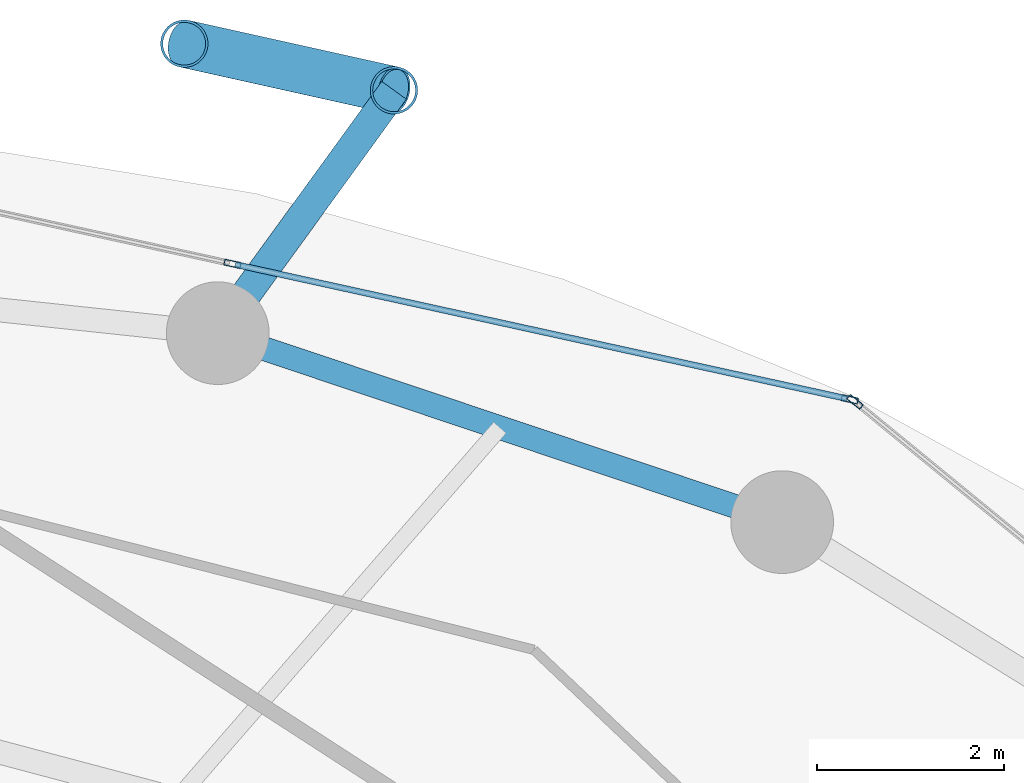
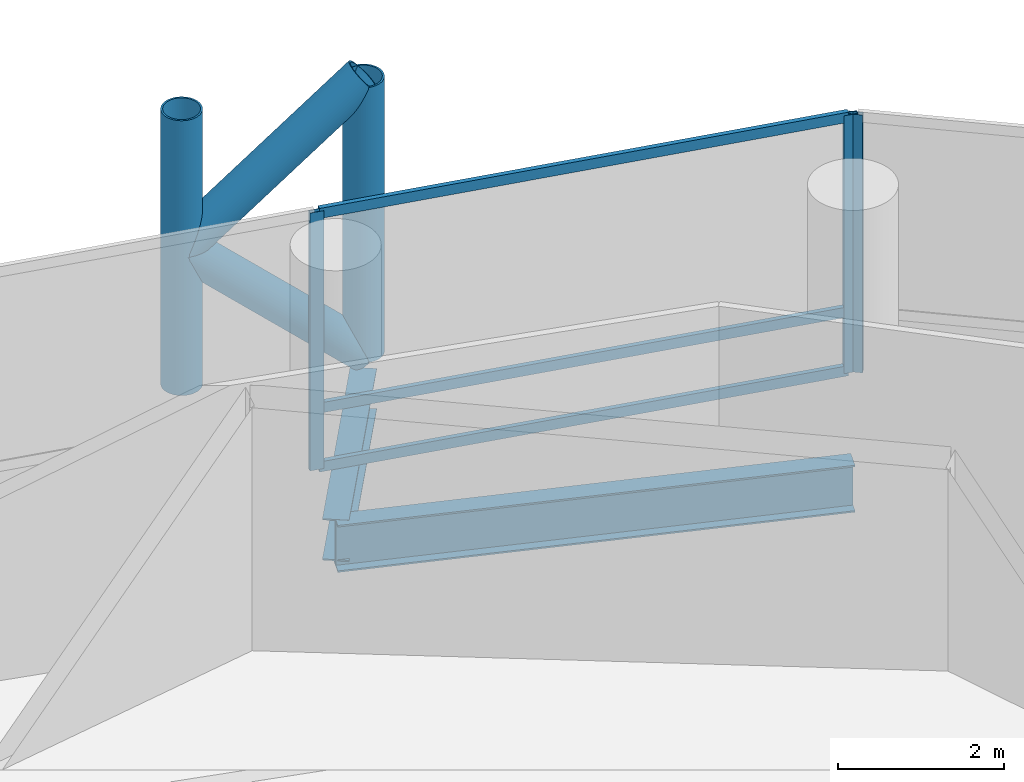
# One storey, part 18 of 24: 10 members, 2 beams, 2 elements without a shape of their own.
"""IFC4 building model written with IfcOpenShell, lengths in metres."""

from ifc_helpers import new_model, si_unit, direction, frame, origin, origin_2d, place, context, subcontext, project, spatial, hollow_rectangle, hollow_circle, i_section, extrude, material, layer, layer_set, material_profile, profile_set, type_object, element, aggregate, save


model = new_model("IFC4")

# Units and contexts
model_context = context("Model", 3, precision=1e-05, world=origin(), true_north=direction((0.0, 1.0)))
body_context = subcontext(model_context, "Body", "Model", "MODEL_VIEW")
ifc_project = project(units=[si_unit("LENGTHUNIT", "METRE"), si_unit("AREAUNIT", "SQUARE_METRE"), si_unit("VOLUMEUNIT", "CUBIC_METRE"), si_unit("PLANEANGLEUNIT", "RADIAN"), si_unit("MASSUNIT", "GRAM", prefix="KILO")], contexts=[model_context])

# Site, building, storey
site_placement = place(None, origin())
site = spatial("IfcSite", under=ifc_project, at=site_placement, CompositionType="ELEMENT")
building_placement = place(site_placement, origin())
building = spatial("IfcBuilding", under=site, at=building_placement, Name="Nuhasar Tower", CompositionType="ELEMENT")
storey_placement = place(building_placement, frame((0.0, 0.0, 77.699951171875)))
storey = spatial("IfcBuildingStorey", under=building, at=storey_placement, Name="L18", CompositionType="ELEMENT", Elevation=77.699951171875)

# Beams
ifc_material_1 = material(Name="Steel S355", Category="steel")
ifc_material_profile_1 = material_profile(ifc_material_1, i_section(OverallWidth=0.256103515625, OverallDepth=0.693115234375, WebThickness=0.014404296875, FlangeThickness=0.023681640625, at=origin_2d()), Name="W27X114")
ifc_profile_set_1 = profile_set([ifc_material_profile_1], Name="Steel S355")
beam_type_1 = type_object("IfcBeamType", Name="BM-RING-W27X114", PredefinedType="SPANDREL", material=ifc_profile_set_1)
beam_1_placement = place(storey_placement, frame((51.52490234375, 44.3369140625, -0.596923828125), z_axis=(-0.948249435708, 0.317526388949, 0.0), x_axis=(-0.317526388949, -0.948249435708, 0.0)))
element("IfcBeam", 1, at=beam_1_placement, inside=storey, type_object=beam_type_1, Name="L18 Perimeter Ring Spandrel 05", PredefinedType="SPANDREL", context=body_context, shape_type="SweptSolid", body=[
    extrude(i_section(OverallWidth=0.256103515625, OverallDepth=0.693115234375, WebThickness=0.014404296875, FlangeThickness=0.023681640625, at=origin_2d()), origin(), (0.0, 0.0, 1.0), 6.371826171875),
])
ifc_material_profile_2 = material_profile(ifc_material_1, i_section(OverallWidth=0.323974609375, OverallDepth=0.611083984375, WebThickness=0.0126953125, FlangeThickness=0.01904296875, at=origin_2d()), Name="W24X104")
ifc_profile_set_2 = profile_set([ifc_material_profile_2], Name="Steel S355")
beam_type_2 = type_object("IfcBeamType", Name="BM-TIE-W24X104", PredefinedType="BEAM", material=ifc_profile_set_2)
beam_2_placement = place(storey_placement, frame((45.48291015625, 46.360107421875, -0.554931640625), z_axis=(0.587439442414, 0.809268127073, 0.0), x_axis=(-0.809268127073, 0.587439442414, 0.0)))
element("IfcBeam", 2, at=beam_2_placement, inside=storey, type_object=beam_type_2, Name="L18 Exoskeleton Node Tie Beam 03", PredefinedType="BEAM", context=body_context, shape_type="SweptSolid", body=[
    extrude(i_section(OverallWidth=0.323974609375, OverallDepth=0.611083984375, WebThickness=0.0126953125, FlangeThickness=0.01904296875, at=origin_2d()), origin(), (0.0, 0.0, 1.0), 3.212646484375),
])

# Curtain wall, member
ifc_material_2 = material(Name="Aluminium 6063-T6", Category="aluminium")
ifc_layer = layer(ifc_material_2, 0.199951171875)
ifc_layer_set = layer_set([ifc_layer], Name="Aluminium 6063-T6")
curtain_wall_type = type_object("IfcCurtainWallType", Name="CW-Z1-OFF", PredefinedType="NOTDEFINED", material=ifc_layer_set)
curtain_wall_1_placement = place(storey_placement, origin())
curtain_wall_1 = element("IfcCurtainWall", 3, at=curtain_wall_1_placement, inside=storey, type_object=curtain_wall_type, Name="L18 Unitised Curtain Wall 02", PredefinedType="NOTDEFINED")
ifc_material_profile_3 = material_profile(ifc_material_2, hollow_rectangle(XDim=0.06494140625, YDim=0.179931640625, WallThickness=0.0048828125, at=origin_2d()), Name="CWM-2")
ifc_profile_set_3 = profile_set([ifc_material_profile_3], Name="Aluminium 6063-T6")
member_type_1 = type_object("IfcMemberType", Name="CW-MUL-S2", PredefinedType="MULLION", material=ifc_profile_set_3)
member_1_placement = place(storey_placement, frame((52.30517578125, 45.62451171875, 0.0), z_axis=(0.0, 0.0, 1.0), x_axis=(-0.633744593376, -0.773542364946, 0.0)))
member_1 = element("IfcMember", 4, at=member_1_placement, type_object=member_type_1, Name="CW-Z1 mullion 2", PredefinedType="MULLION", context=body_context, shape_type="SweptSolid", body=[
    extrude(hollow_rectangle(XDim=0.06494140625, YDim=0.179931640625, WallThickness=0.0048828125, at=origin_2d()), origin(), (0.0, 0.0, 1.0), 3.800048828125),
])
aggregate(curtain_wall_1, [member_1])

# Curtain wall, members
curtain_wall_2_placement = place(storey_placement, origin())
curtain_wall_2 = element("IfcCurtainWall", 5, at=curtain_wall_2_placement, inside=storey, type_object=curtain_wall_type, Name="L18 Unitised Curtain Wall 03", PredefinedType="NOTDEFINED")
member_2_placement = place(storey_placement, frame((52.248291015625, 45.65185546875, 0.0), z_axis=(0.0, 0.0, 1.0), x_axis=(-0.214398737637, -0.976746221544, 0.0)))
member_2 = element("IfcMember", 6, at=member_2_placement, type_object=member_type_1, Name="CW-Z1 mullion 1", PredefinedType="MULLION", context=body_context, shape_type="SweptSolid", body=[
    extrude(hollow_rectangle(XDim=0.06494140625, YDim=0.179931640625, WallThickness=0.0048828125, at=origin_2d()), origin(), (0.0, 0.0, 1.0), 3.800048828125),
])
member_3_placement = place(storey_placement, frame((45.639892578125, 47.1025390625, 0.0), z_axis=(0.0, 0.0, 1.0), x_axis=(-0.214398737637, -0.976746221544, 0.0)))
member_3 = element("IfcMember", 7, at=member_3_placement, type_object=member_type_1, Name="CW-Z1 mullion 2", PredefinedType="MULLION", context=body_context, shape_type="SweptSolid", body=[
    extrude(hollow_rectangle(XDim=0.06494140625, YDim=0.179931640625, WallThickness=0.0048828125, at=origin_2d()), origin(), (0.0, 0.0, 1.0), 3.800048828125),
])
ifc_material_profile_4 = material_profile(ifc_material_2, hollow_rectangle(XDim=0.06494140625, YDim=0.14990234375, WallThickness=0.00439453125, at=origin_2d()), Name="CWT-2")
ifc_profile_set_4 = profile_set([ifc_material_profile_4], Name="Aluminium 6063-T6")
member_type_2 = type_object("IfcMemberType", Name="CW-TRN-S2", PredefinedType="USERDEFINED", material=ifc_profile_set_4)
member_4_placement = place(storey_placement, frame((52.216552734375, 45.658935546875, 0.032470703125), z_axis=(-0.976749553792, 0.214383556196, 0.0), x_axis=(-0.214383556196, -0.976749553792, 0.0)))
member_4 = element("IfcMember", 8, at=member_4_placement, type_object=member_type_2, Name="CW-Z1 transom 1.1", ObjectType="TRANSOM", PredefinedType="USERDEFINED", context=body_context, shape_type="SweptSolid", body=[
    extrude(hollow_rectangle(XDim=0.06494140625, YDim=0.14990234375, WallThickness=0.00439453125, at=origin_2d()), origin(), (0.0, 0.0, 1.0), 6.70068359375),
])
member_5_placement = place(storey_placement, frame((52.216552734375, 45.658935546875, 0.900146484375), z_axis=(-0.976749553792, 0.214383556196, 0.0), x_axis=(-0.214383556196, -0.976749553792, 0.0)))
member_5 = element("IfcMember", 9, at=member_5_placement, type_object=member_type_2, Name="CW-Z1 transom 1.2", ObjectType="TRANSOM", PredefinedType="USERDEFINED", context=body_context, shape_type="SweptSolid", body=[
    extrude(hollow_rectangle(XDim=0.06494140625, YDim=0.14990234375, WallThickness=0.00439453125, at=origin_2d()), origin(), (0.0, 0.0, 1.0), 6.70068359375),
])
member_6_placement = place(storey_placement, frame((52.216552734375, 45.658935546875, 3.767578125), z_axis=(-0.976749553792, 0.214383556196, 0.0), x_axis=(-0.214383556196, -0.976749553792, 0.0)))
member_6 = element("IfcMember", 10, at=member_6_placement, type_object=member_type_2, Name="CW-Z1 transom 1.3", ObjectType="TRANSOM", PredefinedType="USERDEFINED", context=body_context, shape_type="SweptSolid", body=[
    extrude(hollow_rectangle(XDim=0.06494140625, YDim=0.14990234375, WallThickness=0.00439453125, at=origin_2d()), origin(), (0.0, 0.0, 1.0), 6.70068359375),
])
aggregate(curtain_wall_2, [member_2, member_3, member_4, member_5, member_6])

# Members
ifc_material_3 = material(Name="Steel S460", Category="steel")
ifc_material_profile_5 = material_profile(ifc_material_3, hollow_circle(Radius=0.25390625, WallThickness=0.025390625, at=origin_2d()), Name="HSS508X25.4")
ifc_profile_set_5 = profile_set([ifc_material_profile_5], Name="Steel S460")
member_type_3 = type_object("IfcMemberType", Name="EXO-BRONZE-508", PredefinedType="BRACE", material=ifc_profile_set_5)
for number, where, z_axis, x_axis, name in (
    (11, (47.3701171875, 48.9599609375, 0.0), (0.0, 0.0, 1.0), (1.0, 0.0, 0.0), "L18 Exoskeleton Chord Column EC-03A"),
    (12, (45.1240234375, 49.458984375, 0.0), (0.0, 0.0, 1.0), (1.0, 0.0, 0.0), "L18 Exoskeleton Chord Column EC-03B"),
):
    element("IfcMember", number, at=place(storey_placement, frame(where, z_axis=z_axis, x_axis=x_axis)), inside=storey, type_object=member_type_3, Name=name, PredefinedType="BRACE", context=body_context, shape_type="SweptSolid", body=[
        extrude(hollow_circle(Radius=0.25390625, WallThickness=0.025390625, at=origin_2d()), origin(), (0.0, 0.0, 1.0), 4.050048828125),
    ])
member_7_placement = place(storey_placement, frame((47.3701171875, 48.9599609375, 0.0), z_axis=(-0.732782908552, 0.162805246204, 0.660699372439), x_axis=(-0.216885517571, -0.97619704582, 0.0)))
element("IfcMember", 13, at=member_7_placement, inside=storey, type_object=member_type_3, Name="L18 Bronze Diagrid Brace W1-03", PredefinedType="BRACE", context=body_context, shape_type="SweptSolid", body=[
    extrude(hollow_circle(Radius=0.25390625, WallThickness=0.025390625, at=origin_2d()), origin(), (0.0, 0.0, 1.0), 3.065185546875),
])
member_8_placement = place(storey_placement, frame((45.1240234375, 49.458984375, 2.025146484375), z_axis=(0.732821471909, -0.162813813976, 0.660654487828), x_axis=(0.216885517571, 0.97619704582, 0.0)))
element("IfcMember", 14, at=member_8_placement, inside=storey, type_object=member_type_3, Name="L18 Bronze Diagrid Brace W2-03", PredefinedType="BRACE", context=body_context, shape_type="SweptSolid", body=[
    extrude(hollow_circle(Radius=0.25390625, WallThickness=0.025390625, at=origin_2d()), origin(), (0.0, 0.0, 1.0), 3.06494140625),
])

save(model, "model.ifc")
